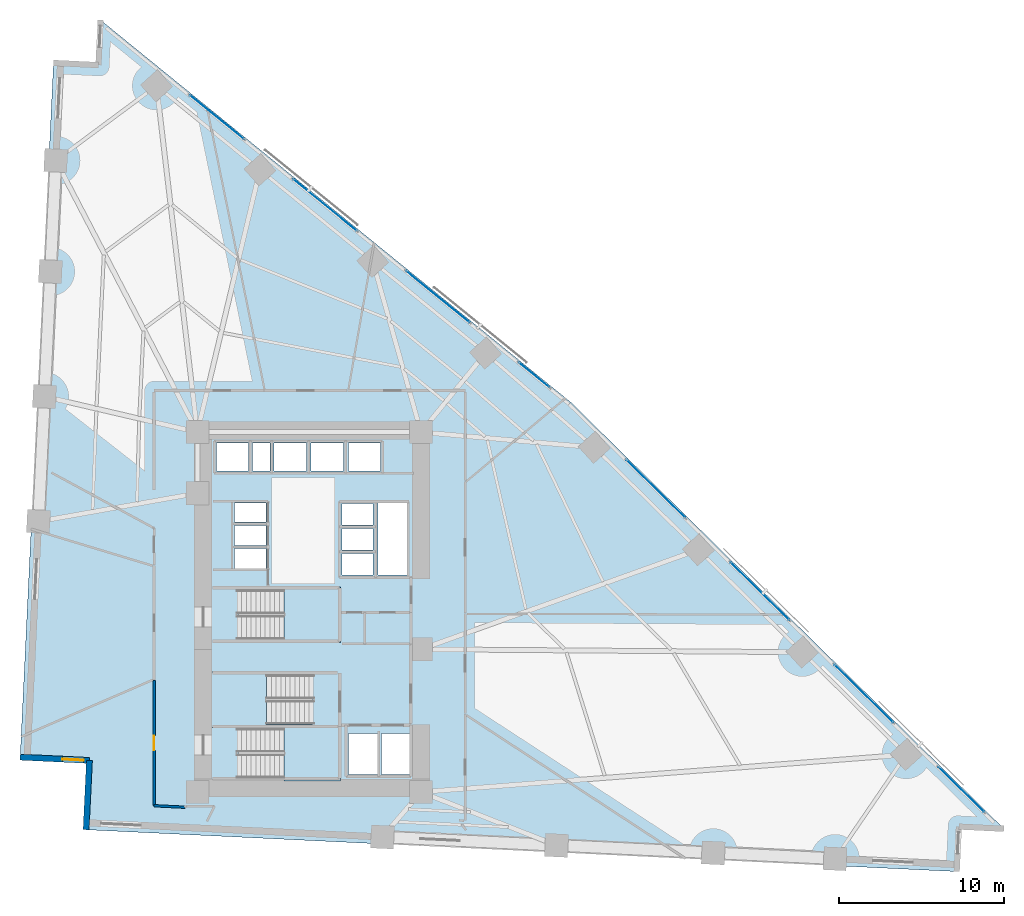
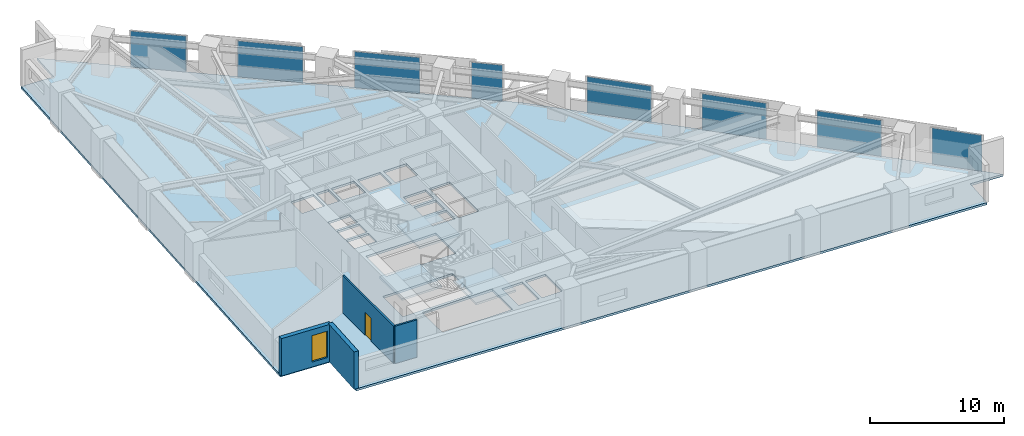
# One storey, part 12 of 17: 8 plates, 4 slabs, 4 walls, 1 door, 1 window, 2 openings, 11 elements without a shape of their own.
"""IFC4 building model written with IfcOpenShell, lengths in metres."""

from ifc_helpers import new_model, si_unit, direction, frame, frame_2d, origin, origin_2d, place, context, subcontext, project, spatial, polyline, rectangle, outline, extrude, material, layer, layer_set, type_object, element, fill, aggregate, save


model = new_model("IFC4")

# Units and contexts
model_context = context("Model", 3, precision=1e-05, world=origin(), true_north=direction((0.0, 1.0)))
body_context = subcontext(model_context, "Body", "Model", "MODEL_VIEW")
ifc_project = project(units=[si_unit("LENGTHUNIT", "METRE"), si_unit("AREAUNIT", "SQUARE_METRE"), si_unit("VOLUMEUNIT", "CUBIC_METRE"), si_unit("PLANEANGLEUNIT", "RADIAN"), si_unit("MASSUNIT", "GRAM", prefix="KILO")], contexts=[model_context])

# Site, building, storey
site_placement = place(None, origin())
site = spatial("IfcSite", under=ifc_project, at=site_placement, CompositionType="ELEMENT")
building_placement = place(site_placement, origin())
building = spatial("IfcBuilding", under=site, at=building_placement, Name="Narakoshi Arena Tower", CompositionType="ELEMENT")
storey_placement = place(building_placement, frame((0.0, 0.0, 41.10009765625)))
storey = spatial("IfcBuildingStorey", under=building, at=storey_placement, Name="L10", CompositionType="ELEMENT", Elevation=41.10009765625)

# Curtain wall, plate
ifc_material_1 = material(Name="Anodised bronze aluminium 6063-T6", Category="aluminium")
curtain_wall_type = type_object("IfcCurtainWallType", Name="CW-HYP-LOW", PredefinedType="NOTDEFINED", material=ifc_material_1)
curtain_wall_1_placement = place(storey_placement, origin())
curtain_wall_1 = element("IfcCurtainWall", 1, at=curtain_wall_1_placement, inside=storey, type_object=curtain_wall_type, Name="L10 Folded Hypotenuse Curtain Wall 1-1", PredefinedType="NOTDEFINED")
ifc_material_2 = material(Name="Bronze-tinted low-E laminated glass", Category="glass")
ifc_layer_1 = layer(ifc_material_2, 0.031982421875)
ifc_layer_set_1 = layer_set([ifc_layer_1], Name="Bronze-tinted low-E laminated glass")
plate_type = type_object("IfcPlateType", Name="PLT-GLZ-32", PredefinedType="CURTAIN_PANEL", material=ifc_layer_set_1)
plate_1_placement = place(storey_placement, frame((118.277587890625, 34.8505859375, 0.06494140625), z_axis=(0.0, 0.0, 1.0), x_axis=(-0.712541277695, 0.701630192894, 0.0)))
plate_1 = element("IfcPlate", 2, at=plate_1_placement, type_object=plate_type, Name="CW-01 panel 1.1", PredefinedType="CURTAIN_PANEL", context=body_context, shape_type="SweptSolid", body=[
    extrude(rectangle(XDim=3.85498046875, YDim=0.031982421875, at=origin_2d()), origin(), (0.0, 0.0, 1.0), 3.27001953125),
])
aggregate(curtain_wall_1, [plate_1])

curtain_wall_2_placement = place(storey_placement, origin())
curtain_wall_2 = element("IfcCurtainWall", 3, at=curtain_wall_2_placement, inside=storey, type_object=curtain_wall_type, Name="L10 Folded Hypotenuse Curtain Wall 1-2", PredefinedType="NOTDEFINED")
plate_2_placement = place(storey_placement, frame((112.375, 40.66259765625, 0.06494140625), z_axis=(0.0, 0.0, 1.0), x_axis=(-0.712548329451, 0.701623031404, 0.0)))
plate_2 = element("IfcPlate", 4, at=plate_2_placement, type_object=plate_type, Name="CW-01 panel 1.1", PredefinedType="CURTAIN_PANEL", context=body_context, shape_type="SweptSolid", body=[
    extrude(rectangle(XDim=4.966552734375, YDim=0.031982421875, at=origin_2d()), origin(), (0.0, 0.0, 1.0), 3.27001953125),
])
aggregate(curtain_wall_2, [plate_2])

curtain_wall_3_placement = place(storey_placement, origin())
curtain_wall_3 = element("IfcCurtainWall", 5, at=curtain_wall_3_placement, inside=storey, type_object=curtain_wall_type, Name="L10 Folded Hypotenuse Curtain Wall 1-3", PredefinedType="NOTDEFINED")
plate_3_placement = place(storey_placement, frame((106.07666015625, 46.864501953125, 0.06494140625), z_axis=(0.0, 0.0, 1.0), x_axis=(-0.712538708053, 0.701632802488, 0.0)))
plate_3 = element("IfcPlate", 6, at=plate_3_placement, type_object=plate_type, Name="CW-01 panel 1.1", PredefinedType="CURTAIN_PANEL", context=body_context, shape_type="SweptSolid", body=[
    extrude(rectangle(XDim=4.966552734375, YDim=0.031982421875, at=origin_2d()), origin(), (0.0, 0.0, 1.0), 3.27001953125),
])
aggregate(curtain_wall_3, [plate_3])

curtain_wall_4_placement = place(storey_placement, origin())
curtain_wall_4 = element("IfcCurtainWall", 7, at=curtain_wall_4_placement, inside=storey, type_object=curtain_wall_type, Name="L10 Folded Hypotenuse Curtain Wall 1-4", PredefinedType="NOTDEFINED")
plate_4_placement = place(storey_placement, frame((99.7783203125, 53.06640625, 0.06494140625), z_axis=(0.0, 0.0, 1.0), x_axis=(-0.712538708053, 0.701632802488, 0.0)))
plate_4 = element("IfcPlate", 8, at=plate_4_placement, type_object=plate_type, Name="CW-01 panel 1.1", PredefinedType="CURTAIN_PANEL", context=body_context, shape_type="SweptSolid", body=[
    extrude(rectangle(XDim=4.966552734375, YDim=0.031982421875, at=origin_2d()), origin(), (0.0, 0.0, 1.0), 3.27001953125),
])
aggregate(curtain_wall_4, [plate_4])

curtain_wall_5_placement = place(storey_placement, origin())
curtain_wall_5 = element("IfcCurtainWall", 9, at=curtain_wall_5_placement, inside=storey, type_object=curtain_wall_type, Name="L10 Folded Hypotenuse Curtain Wall 2-1", PredefinedType="NOTDEFINED")
plate_5_placement = place(storey_placement, frame((92.40087890625, 59.964111328125, 0.06494140625), z_axis=(0.0, 0.0, 1.0), x_axis=(-0.776007918256, 0.63072316495, 0.0)))
plate_5 = element("IfcPlate", 10, at=plate_5_placement, type_object=plate_type, Name="CW-01 panel 1.1", PredefinedType="CURTAIN_PANEL", context=body_context, shape_type="SweptSolid", body=[
    extrude(rectangle(XDim=2.35888671875, YDim=0.031982421875, at=origin_2d()), origin(), (0.0, 0.0, 1.0), 3.27001953125),
])
aggregate(curtain_wall_5, [plate_5])

curtain_wall_6_placement = place(storey_placement, origin())
curtain_wall_6 = element("IfcCurtainWall", 11, at=curtain_wall_6_placement, inside=storey, type_object=curtain_wall_type, Name="L10 Folded Hypotenuse Curtain Wall 2-2", PredefinedType="NOTDEFINED")
plate_6_placement = place(storey_placement, frame((86.566650390625, 64.7060546875, 0.06494140625), z_axis=(0.0, 0.0, 1.0), x_axis=(-0.775998434519, 0.630734833051, 0.0)))
plate_6 = element("IfcPlate", 12, at=plate_6_placement, type_object=plate_type, Name="CW-01 panel 1.1", PredefinedType="CURTAIN_PANEL", context=body_context, shape_type="SweptSolid", body=[
    extrude(rectangle(XDim=4.932373046875, YDim=0.031982421875, at=origin_2d()), origin(), (0.0, 0.0, 1.0), 3.27001953125),
])
aggregate(curtain_wall_6, [plate_6])

curtain_wall_7_placement = place(storey_placement, origin())
curtain_wall_7 = element("IfcCurtainWall", 13, at=curtain_wall_7_placement, inside=storey, type_object=curtain_wall_type, Name="L10 Folded Hypotenuse Curtain Wall 2-3", PredefinedType="NOTDEFINED")
plate_7_placement = place(storey_placement, frame((79.73388671875, 70.259765625, 0.06494140625), z_axis=(0.0, 0.0, 1.0), x_axis=(-0.776008064665, 0.630722984816, 0.0)))
plate_7 = element("IfcPlate", 14, at=plate_7_placement, type_object=plate_type, Name="CW-01 panel 1.1", PredefinedType="CURTAIN_PANEL", context=body_context, shape_type="SweptSolid", body=[
    extrude(rectangle(XDim=4.932373046875, YDim=0.031982421875, at=origin_2d()), origin(), (0.0, 0.0, 1.0), 3.27001953125),
])
aggregate(curtain_wall_7, [plate_7])

curtain_wall_8_placement = place(storey_placement, origin())
curtain_wall_8 = element("IfcCurtainWall", 15, at=curtain_wall_8_placement, inside=storey, type_object=curtain_wall_type, Name="L10 Folded Hypotenuse Curtain Wall 2-4", PredefinedType="NOTDEFINED")
plate_8_placement = place(storey_placement, frame((73.18603515625, 75.58203125, 0.06494140625), z_axis=(0.0, 0.0, 1.0), x_axis=(-0.775999332044, 0.630733728817, 0.0)))
plate_8 = element("IfcPlate", 16, at=plate_8_placement, type_object=plate_type, Name="CW-01 panel 1.1", PredefinedType="CURTAIN_PANEL", context=body_context, shape_type="SweptSolid", body=[
    extrude(rectangle(XDim=4.198486328125, YDim=0.031982421875, at=origin_2d()), origin(), (0.0, 0.0, 1.0), 3.27001953125),
])
aggregate(curtain_wall_8, [plate_8])

# Stair, slab
ifc_material_3 = material(Name="Concrete C45/55", Category="concrete")
stair_type = type_object("IfcStairType", Name="STR-CORE-360", PredefinedType="TWO_STRAIGHT_RUN_STAIR", material=ifc_material_3)
stair_1_placement = place(storey_placement, origin())
stair_1 = element("IfcStair", 17, at=stair_1_placement, inside=storey, type_object=stair_type, Name="L10 Core Escape Stair ST1", PredefinedType="TWO_STRAIGHT_RUN_STAIR")
ifc_layer_2 = layer(ifc_material_3, 0.18994140625)
ifc_layer_set_2 = layer_set([ifc_layer_2], Name="Concrete C45/55")
slab_type_1 = type_object("IfcSlabType", Name="SLB-LND-190", PredefinedType="LANDING", material=ifc_layer_set_2)
slab_1_placement = place(storey_placement, frame((0.0, 0.0, 1.60986328125)))
slab_1 = element("IfcSlab", 18, at=slab_1_placement, type_object=slab_type_1, Name="ST1 landing 1", PredefinedType="LANDING", context=body_context, shape_type="SweptSolid", body=[
    extrude(outline(polyline([(77.25, 35.3701171875), (80.679931640625, 35.3701171875), (80.679931640625, 38.72998046875), (77.25, 38.72998046875), (77.25, 35.3701171875)])), origin(), (0.0, 0.0, 1.0), 0.18994140625),
])
aggregate(stair_1, [slab_1])

stair_2_placement = place(storey_placement, origin())
stair_2 = element("IfcStair", 19, at=stair_2_placement, inside=storey, type_object=stair_type, Name="L10 Core Escape Stair ST2", PredefinedType="TWO_STRAIGHT_RUN_STAIR")
slab_2_placement = place(storey_placement, frame((0.0, 0.0, 1.60986328125)))
slab_2 = element("IfcSlab", 20, at=slab_2_placement, type_object=slab_type_1, Name="ST2 landing 1", PredefinedType="LANDING", context=body_context, shape_type="SweptSolid", body=[
    extrude(outline(polyline([(72.77001953125, 38.6201171875), (76.199951171875, 38.6201171875), (76.199951171875, 41.97998046875), (72.77001953125, 41.97998046875), (72.77001953125, 38.6201171875)])), origin(), (0.0, 0.0, 1.0), 0.18994140625),
])
aggregate(stair_2, [slab_2])

stair_3_placement = place(storey_placement, origin())
stair_3 = element("IfcStair", 21, at=stair_3_placement, inside=storey, type_object=stair_type, Name="L10 Core Escape Stair ST3", PredefinedType="TWO_STRAIGHT_RUN_STAIR")
slab_3_placement = place(storey_placement, frame((0.0, 0.0, 1.60986328125)))
slab_3 = element("IfcSlab", 22, at=slab_3_placement, type_object=slab_type_1, Name="ST3 landing 1", PredefinedType="LANDING", context=body_context, shape_type="SweptSolid", body=[
    extrude(outline(polyline([(77.25, 43.77001953125), (80.679931640625, 43.77001953125), (80.679931640625, 47.1298828125), (77.25, 47.1298828125), (77.25, 43.77001953125)])), origin(), (0.0, 0.0, 1.0), 0.18994140625),
])
aggregate(stair_3, [slab_3])

# Slab
ifc_layer_3 = layer(ifc_material_3, 0.199951171875)
ifc_layer_set_3 = layer_set([ifc_layer_3], Name="Concrete C45/55")
slab_type_2 = type_object("IfcSlabType", Name="SLB-TWR-200", PredefinedType="FLOOR", material=ifc_layer_set_3)
slab_4_placement = place(storey_placement, frame((0.0, 0.0, -0.2001953125)))
element("IfcSlab", 23, at=slab_4_placement, inside=storey, type_object=slab_type_2, Name="L10 Structural Floor Slab", PredefinedType="FLOOR", context=body_context, shape_type="SweptSolid", body=[
    extrude(outline(polyline([(65.26025390625, 32.416015625), (117.99951171875, 29.8828125), (118.130615234375, 32.609619140625), (120.857421875, 32.478515625), (94.614013671875, 58.31982421875), (66.144287109375, 81.4599609375), (66.013427734375, 78.733154296875), (63.28662109375, 78.8642578125), (61.2666015625, 36.8125), (65.4619140625, 36.611083984375), (65.26025390625, 32.416015625)]), holes=[polyline([(74.47998046875, 35.550048828125), (74.47998046875, 38.550048828125), (80.5, 38.550048828125), (80.5, 35.550048828125), (74.47998046875, 35.550048828125)]), polyline([(81.14990234375, 35.75), (81.14990234375, 38.25), (82.89990234375, 38.25), (82.89990234375, 35.75), (81.14990234375, 35.75)]), polyline([(83.14990234375, 35.75), (83.14990234375, 38.25), (84.89990234375, 38.25), (84.89990234375, 35.75), (83.14990234375, 35.75)]), polyline([(72.949951171875, 38.800048828125), (72.949951171875, 41.800048828125), (78.969970703125, 41.800048828125), (78.969970703125, 38.800048828125), (72.949951171875, 38.800048828125)]), polyline([(74.47998046875, 43.949951171875), (74.47998046875, 46.949951171875), (80.5, 46.949951171875), (80.5, 43.949951171875), (74.47998046875, 43.949951171875)]), polyline([(82.949951171875, 47.840087890625), (82.949951171875, 52.199951171875), (84.699951171875, 52.199951171875), (84.699951171875, 47.840087890625), (82.949951171875, 47.840087890625)]), polyline([(80.75, 47.85009765625), (80.75, 49.14990234375), (82.64990234375, 49.14990234375), (82.64990234375, 47.85009765625), (80.75, 47.85009765625)]), polyline([(74.25, 48.25), (74.25, 49.449951171875), (76.14990234375, 49.449951171875), (76.14990234375, 48.25), (74.25, 48.25)]), polyline([(80.75, 49.3701171875), (80.75, 50.669921875), (82.64990234375, 50.669921875), (82.64990234375, 49.3701171875), (80.75, 49.3701171875)]), polyline([(74.25, 49.64990234375), (74.25, 50.85009765625), (76.14990234375, 50.85009765625), (76.14990234375, 49.64990234375), (74.25, 49.64990234375)]), polyline([(80.75, 50.889892578125), (80.75, 52.18994140625), (82.64990234375, 52.18994140625), (82.64990234375, 50.889892578125), (80.75, 50.889892578125)]), polyline([(74.25, 51.050048828125), (74.25, 52.2099609375), (76.14990234375, 52.2099609375), (76.14990234375, 51.050048828125), (74.25, 51.050048828125)]), polyline([(73.14990234375, 54.14990234375), (73.14990234375, 55.85009765625), (75.10009765625, 55.85009765625), (75.10009765625, 54.14990234375), (73.14990234375, 54.14990234375)]), polyline([(75.35009765625, 54.14990234375), (75.35009765625, 55.85009765625), (76.39990234375, 55.85009765625), (76.39990234375, 54.14990234375), (75.35009765625, 54.14990234375)]), polyline([(76.64990234375, 54.14990234375), (76.64990234375, 55.85009765625), (78.60009765625, 55.85009765625), (78.60009765625, 54.14990234375), (76.64990234375, 54.14990234375)]), polyline([(78.89990234375, 55.85009765625), (80.85009765625, 55.85009765625), (80.85009765625, 54.14990234375), (78.89990234375, 54.14990234375), (78.89990234375, 55.85009765625)]), polyline([(81.14990234375, 55.85009765625), (83.10009765625, 55.85009765625), (83.10009765625, 54.14990234375), (81.14990234375, 54.14990234375), (81.14990234375, 55.85009765625)])]), origin(), (0.0, 0.0, 1.0), 0.2001953125),
])

# Wall, opening, window
ifc_material_4 = material(Name="Precast concrete C45/55", Category="concrete")
ifc_layer_4 = layer(ifc_material_4, 0.419921875)
ifc_layer_set_4 = layer_set([ifc_layer_4], Name="Precast concrete C45/55")
wall_type_1 = type_object("IfcWallType", Name="WL-POD-420", PredefinedType="SOLIDWALL", material=ifc_layer_set_4)
wall_1_placement = place(storey_placement, frame((61.2666015625, 36.8125, 0.0), z_axis=(0.0, 0.0, 1.0), x_axis=(0.998849519138, -0.047954542207, 0.0)))
wall_1 = element("IfcWall", 24, at=wall_1_placement, inside=storey, type_object=wall_type_1, Name="L10 Re-Entrant Corner Notch Wall NTA-1", PredefinedType="SOLIDWALL", context=body_context, shape_type="SweptSolid", body=[
    extrude(rectangle(XDim=4.2001953125, YDim=0.360107421875, at=frame_2d((2.10009765625, 0.0))), origin(), (0.0, 0.0, 1.0), 3.39990234375),
])
opening_1_placement = place(wall_1_placement, frame((2.559814453125, 0.0, 0.449951171875)))
opening_1 = element("IfcOpeningElement", 25, at=opening_1_placement, cuts=wall_1, Name="Opening WN-06", PredefinedType="OPENING", context=body_context, shape_type="SweptSolid", body=[
    extrude(rectangle(XDim=1.300048828125, YDim=2.39990234375, at=frame_2d((0.64990234375, 1.199951171875))), frame((0.0, 0.18994140625, 0.0), z_axis=(0.0, -1.0, 0.0), x_axis=(1.0, 0.0, 0.0)), (0.0, 0.0, 1.0), 0.380126953125),
])
window_type = type_object("IfcWindowType", Name="WIN-NTC-16x24", PartitioningType="SINGLE_PANEL", PredefinedType="WINDOW", material=ifc_material_2)
window_placement = place(opening_1_placement, origin())
window = element("IfcWindow", 26, at=window_placement, inside=storey, type_object=window_type, Name="L10 Corner Notch Window NTA", OverallHeight=2.39990234375, OverallWidth=1.300048828125, PartitioningType="SINGLE_PANEL", PredefinedType="WINDOW", context=body_context, shape_type="SweptSolid", body=[
    extrude(rectangle(XDim=1.300048828125, YDim=2.39990234375, at=frame_2d((0.64990234375, 1.199951171875))), frame((0.0, 0.030029296875, 0.0), z_axis=(0.0, -1.0, 0.0), x_axis=(1.0, 0.0, 0.0)), (0.0, 0.0, 1.0), 0.06005859375),
])
fill(opening_1, window)

# Wall
wall_2_placement = place(storey_placement, frame((65.4619140625, 36.611083984375, 0.0), z_axis=(0.0, 0.0, 1.0), x_axis=(-0.048015322758, -0.998846599224, 0.0)))
element("IfcWall", 27, at=wall_2_placement, inside=storey, type_object=wall_type_1, Name="L10 Re-Entrant Corner Notch Wall NTA-2", PredefinedType="SOLIDWALL", context=body_context, shape_type="SweptSolid", body=[
    extrude(rectangle(XDim=4.199951171875, YDim=0.360107421875, at=frame_2d((2.10009765625, 0.0))), origin(), (0.0, 0.0, 1.0), 3.39990234375),
])

# Wall, opening, door
ifc_material_5 = material(Name="Moisture-resistant cement-board partition")
ifc_layer_5 = layer(ifc_material_5, 0.14501953125)
ifc_layer_set_5 = layer_set([ifc_layer_5], Name="Moisture-resistant cement-board partition")
wall_type_2 = type_object("IfcWallType", Name="WL-WET-145", PredefinedType="PARTITIONING", material=ifc_layer_set_5)
wall_3_placement = place(storey_placement, frame((69.3798828125, 41.46875, 0.0), z_axis=(0.0, 0.0, 1.0), x_axis=(0.0, -1.0, 0.0)))
wall_3 = element("IfcWall", 28, at=wall_3_placement, inside=storey, type_object=wall_type_2, Name="L10 Corridor Partition 02-1", PredefinedType="PARTITIONING", context=body_context, shape_type="SweptSolid", body=[
    extrude(rectangle(XDim=7.5986328125, YDim=0.14501953125, at=frame_2d((3.79931640625, 0.0))), origin(), (0.0, 0.0, 1.0), 3.39990234375),
])
opening_2_placement = place(wall_3_placement, frame((3.349365234375, 0.0, 0.0)))
opening_2 = element("IfcOpeningElement", 29, at=opening_2_placement, cuts=wall_3, Name="Opening D-08", PredefinedType="OPENING", context=body_context, shape_type="SweptSolid", body=[
    extrude(rectangle(XDim=0.89990234375, YDim=2.10009765625, at=frame_2d((0.449951171875, 1.050048828125))), frame((0.0, 0.08251953125, 0.0), z_axis=(0.0, -1.0, 0.0), x_axis=(1.0, 0.0, 0.0)), (0.0, 0.0, 1.0), 0.1650390625),
])
ifc_material_6 = material(Name="Moisture-resistant laminate timber", Category="wood")
door_type = type_object("IfcDoorType", Name="DR-WC-900", OperationType="NOTDEFINED", PredefinedType="DOOR", material=ifc_material_6)
door_placement = place(opening_2_placement, frame((0.89990234375, 0.0, 0.0), z_axis=(0.0, 0.0, 1.0), x_axis=(-1.0, 0.0, 0.0)))
door = element("IfcDoor", 30, at=door_placement, inside=storey, type_object=door_type, Name="DR-L10-015", OperationType="SINGLE_SWING_LEFT", OverallHeight=2.10009765625, OverallWidth=0.89990234375, PredefinedType="DOOR", context=body_context, shape_type="SweptSolid", body=[
    extrude(rectangle(XDim=0.89990234375, YDim=2.10009765625, at=frame_2d((0.449951171875, 1.050048828125))), frame((0.0, 0.02490234375, 0.0), z_axis=(0.0, -1.0, 0.0), x_axis=(1.0, 0.0, 0.0)), (0.0, 0.0, 1.0), 0.050048828125),
])
fill(opening_2, door)

# Wall
wall_4_placement = place(storey_placement, frame((69.3798828125, 33.8701171875, 0.0), z_axis=(0.0, 0.0, 1.0), x_axis=(0.998847987666, -0.047986430739, 0.0)))
element("IfcWall", 31, at=wall_4_placement, inside=storey, type_object=wall_type_2, Name="L10 Corridor Partition 02-2", PredefinedType="PARTITIONING", context=body_context, shape_type="SweptSolid", body=[
    extrude(rectangle(XDim=1.872314453125, YDim=0.14501953125, at=frame_2d((0.93603515625, 0.0))), origin(), (0.0, 0.0, 1.0), 3.39990234375),
])

save(model, "model.ifc")
